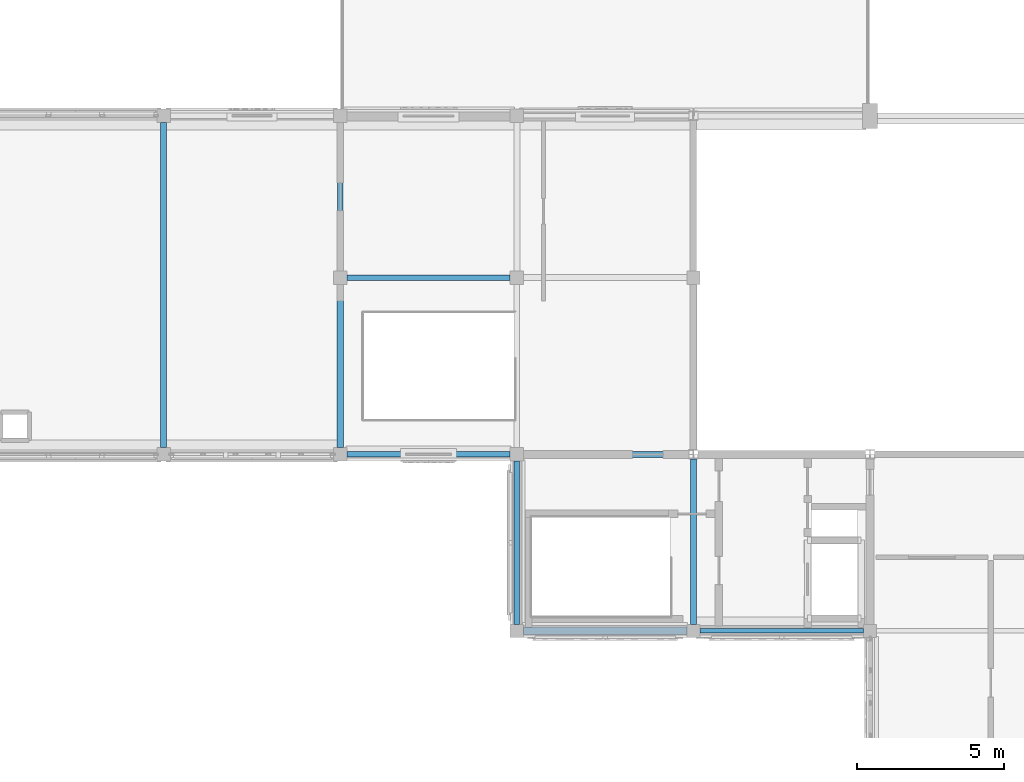
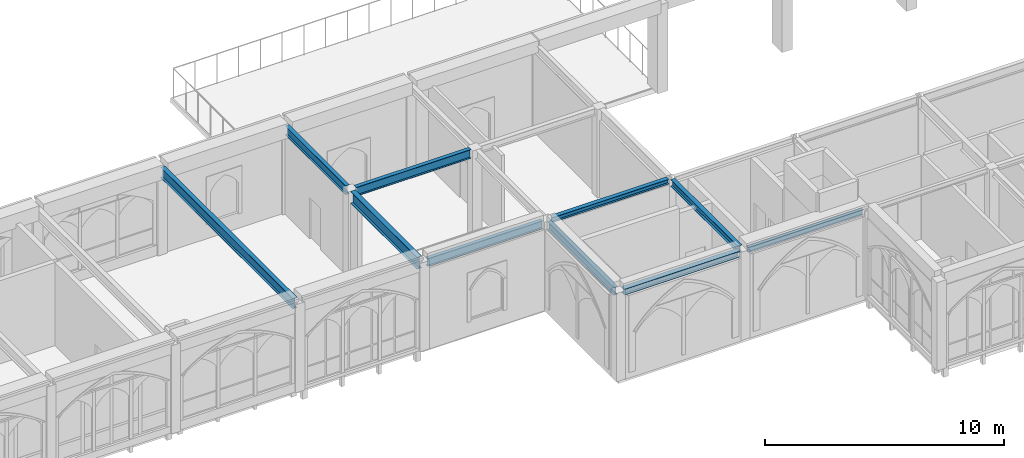
# One storey, part 15 of 59: 10 beams.
"""IFC4 building model written with IfcOpenShell, lengths in metres."""

import ifcopenshell
import ifcopenshell.guid

model = None  # the IFC model being written
_history = None  # IfcOwnerHistory: only IFC2X3 demands one
_inside = {}  # id of a spatial element -> (the spatial element, [elements in it])
_under = {}  # id of a project, library or spatial element -> (it, [spatial elements below it])
_declared = {}  # id of a project -> (the project, [libraries it declares])
_typed = {}  # id of a type object -> (the type object, [elements of that type])
_made_of = {}  # id of a material, layer set ... -> (it, [elements and type objects made of it])


def new_model(schema):
    """Start an empty IFC model of exactly this schema.

    Asked for "IFC4X3", IfcOpenShell would pick the latest addendum, in which some entities
    have other attributes; the version numbers below select the first issue.
    IFC2X3 requires an IfcOwnerHistory on every rooted entity: one is made here for all.
    """
    global model, _history
    if schema == "IFC4X3":
        model = ifcopenshell.file(schema_version=(4, 3, 0, 0))
    else:
        model = ifcopenshell.file(schema=schema)
    _inside.clear()
    _under.clear()
    _declared.clear()
    _typed.clear()
    _made_of.clear()
    _history = None
    if model.schema == "IFC2X3":
        org = make("IfcOrganization", Name="unknown")
        user = make(
            "IfcPersonAndOrganization",
            ThePerson=make("IfcPerson", FamilyName="unknown"),
            TheOrganization=org,
        )
        app = make(
            "IfcApplication",
            ApplicationDeveloper=org,
            Version="unknown",
            ApplicationFullName="unknown",
            ApplicationIdentifier="unknown",
        )
        _history = make(
            "IfcOwnerHistory",
            OwningUser=user,
            OwningApplication=app,
            ChangeAction="ADDED",
            CreationDate=0,
        )
    return model


def make(cls, **values):
    """One entity of the class cls with the attributes given. An attribute that is None is left unset."""
    return model.create_entity(
        cls, **{name: value for name, value in values.items() if value is not None}
    )


def rooted(cls, **values):
    """An entity with a GlobalId (a new one), such as an element, a storey or a relation."""
    return make(cls, GlobalId=ifcopenshell.guid.new(), OwnerHistory=_history, **values)


def si_unit(unit_type, name, prefix=None):
    """IfcSIUnit, for example si_unit("LENGTHUNIT", "METRE", prefix="MILLI")."""
    return make("IfcSIUnit", UnitType=unit_type, Prefix=prefix, Name=name)


def assignment(units):
    """IfcUnitAssignment: the units of a project."""
    return None if units is None else make("IfcUnitAssignment", Units=units)


def point(xyz):
    """IfcCartesianPoint."""
    return None if xyz is None else make("IfcCartesianPoint", Coordinates=xyz)


def direction(xyz):
    """IfcDirection."""
    return None if xyz is None else make("IfcDirection", DirectionRatios=xyz)


def frame(location, z_axis=None, x_axis=None):
    """IfcAxis2Placement3D, a coordinate frame: its origin and axes. An axis left out is left unset."""
    return make(
        "IfcAxis2Placement3D",
        Location=point(location),
        Axis=direction(z_axis),
        RefDirection=direction(x_axis),
    )


def frame_2d(location, x_axis=None):
    """IfcAxis2Placement2D, a coordinate frame in the plane: its origin and x axis."""
    return make(
        "IfcAxis2Placement2D", Location=point(location), RefDirection=direction(x_axis)
    )


def origin():
    """The frame at (0, 0, 0) with its axes left unset."""
    return frame((0.0, 0.0, 0.0))


def origin_2d():
    """The frame at (0, 0) in the plane with its x axis left unset."""
    return frame_2d((0.0, 0.0))


def place(relative_to, where):
    """IfcLocalPlacement: puts the frame where relative to a parent placement (None: the world)."""
    return make(
        "IfcLocalPlacement", PlacementRelTo=relative_to, RelativePlacement=where
    )


def context(
    kind, dimensions, precision=None, world=None, true_north=None, identifier=None
):
    """IfcGeometricRepresentationContext, for example the 3D "Model" context."""
    return make(
        "IfcGeometricRepresentationContext",
        ContextIdentifier=identifier,
        ContextType=kind,
        CoordinateSpaceDimension=dimensions,
        Precision=precision,
        WorldCoordinateSystem=world,
        TrueNorth=true_north,
    )


def subcontext(parent, identifier, kind, view, scale=None):
    """IfcGeometricRepresentationSubContext, for example "Body" below "Model"."""
    return make(
        "IfcGeometricRepresentationSubContext",
        ContextIdentifier=identifier,
        ContextType=kind,
        ParentContext=parent,
        TargetScale=scale,
        TargetView=view,
    )


def project(units=None, contexts=None):
    """IfcProject with its units and contexts."""
    return rooted(
        "IfcProject",
        Name="project",
        RepresentationContexts=contexts,
        UnitsInContext=assignment(units),
    )


def spatial(cls, under=None, at=None, **own):
    """A site, building, storey or space (cls), placed at a placement, below another one or the project."""
    s = rooted(cls, ObjectPlacement=at, **own)
    if under is not None:
        _under.setdefault(under.id(), (under, []))[1].append(s)
    return s


def profile(cls, at=None, kind="AREA", **sizes):
    """A parametric profile (cls). Its sizes go by their IFC names, for example OverallWidth=200.0."""
    return make(cls, ProfileType=kind, Position=at, **sizes)


def i_section(**sizes):
    """IfcIShapeProfileDef."""
    return profile("IfcIShapeProfileDef", **sizes)


def extrude(swept, where, along, depth):
    """IfcExtrudedAreaSolid: the profile swept, set in the frame where, extruded along a direction by depth."""
    return make(
        "IfcExtrudedAreaSolid",
        SweptArea=swept,
        Position=where,
        ExtrudedDirection=direction(along),
        Depth=depth,
    )


def shape(context_of_items, identifier, shape_type, items):
    """IfcShapeRepresentation: the items that make up one representation, for example the "Body"."""
    return make(
        "IfcShapeRepresentation",
        ContextOfItems=context_of_items,
        RepresentationIdentifier=identifier,
        RepresentationType=shape_type,
        Items=items,
    )


def material(Name=None, Category=None):
    """IfcMaterial."""
    return make("IfcMaterial", Name=Name, Category=Category)


def material_profile(
    of_material, cross_section, Name=None, Category=None, Priority=None
):
    """IfcMaterialProfile: a cross section and its material."""
    return make(
        "IfcMaterialProfile",
        Name=Name,
        Material=of_material,
        Profile=cross_section,
        Priority=Priority,
        Category=Category,
    )


def profile_set(profiles, Name=None, composite=None):
    """IfcMaterialProfileSet."""
    return make(
        "IfcMaterialProfileSet",
        Name=Name,
        MaterialProfiles=profiles,
        CompositeProfile=composite,
    )


def made_of(thing, what):
    """Note that an element or type object is made of a material, layer set ...; save() writes the relation."""
    if what is not None:
        _made_of.setdefault(what.id(), (what, []))[1].append(thing)
    return thing


def type_object(cls, material=None, **own):
    """A type object (cls), such as IfcWallType, which elements share."""
    return made_of(rooted(cls, **own), material)


def element(
    cls,
    number,
    at=None,
    inside=None,
    cuts=None,
    type_object=None,
    material=None,
    context=None,
    identifier="Body",
    shape_type=None,
    held_by="IfcProductDefinitionShape",
    body=None,
    shapes=None,
    **own,
):
    """One element of the class cls, such as IfcWall. Its Tag is "e" and its number.

    at: its placement. inside: the storey or other place that contains it. cuts: it is an
    opening in that element (IfcRelVoidsElement). A single representation is given by context,
    identifier, shape_type and body (its items); several are given by shapes. held_by: the class
    of the entity that holds the representations. save() writes the other relations.
    """
    e = rooted(cls, Tag="e%d" % number, ObjectPlacement=at, **own)
    if body is not None:
        shapes = [shape(context, identifier, shape_type, body)]
    if shapes is not None:
        e.Representation = make(held_by, Representations=shapes)
    if inside is not None:
        _inside.setdefault(inside.id(), (inside, []))[1].append(e)
    if cuts is not None:
        rooted(
            "IfcRelVoidsElement", RelatingBuildingElement=cuts, RelatedOpeningElement=e
        )
    if type_object is not None:
        _typed.setdefault(type_object.id(), (type_object, []))[1].append(e)
    return made_of(e, material)


def aggregate(whole, parts):
    """IfcRelAggregates: a whole, such as a stair, and the parts it consists of."""
    return rooted("IfcRelAggregates", RelatingObject=whole, RelatedObjects=parts)


def save(model, path):
    """Write the relations noted so far, then the file.

    IfcRelAggregates (storeys below a building ...), IfcRelContainedInSpatialStructure (elements
    in a storey), IfcRelDefinesByType, IfcRelAssociatesMaterial and IfcRelDeclares: one each for
    every whole, place, type object, material and project.
    """
    for whole, parts in _under.values():
        aggregate(whole, parts)
    for where, things in _inside.values():
        rooted(
            "IfcRelContainedInSpatialStructure",
            RelatedElements=things,
            RelatingStructure=where,
        )
    for kind, things in _typed.values():
        rooted("IfcRelDefinesByType", RelatedObjects=things, RelatingType=kind)
    for what, things in _made_of.values():
        rooted("IfcRelAssociatesMaterial", RelatedObjects=things, RelatingMaterial=what)
    for by, libraries in _declared.values():
        rooted("IfcRelDeclares", RelatingContext=by, RelatedDefinitions=libraries)
    model.write(path)


model = new_model("IFC4")

# Units and contexts
model_context = context("Model", 3, precision=1e-05, world=origin(), true_north=direction((0.0, 1.0)))
body_context = subcontext(model_context, "Body", "Model", "MODEL_VIEW")
ifc_project = project(units=[si_unit("LENGTHUNIT", "METRE"), si_unit("AREAUNIT", "SQUARE_METRE"), si_unit("VOLUMEUNIT", "CUBIC_METRE"), si_unit("PLANEANGLEUNIT", "RADIAN"), si_unit("MASSUNIT", "GRAM", prefix="KILO")], contexts=[model_context])

# Site, building, storey
site_placement = place(None, origin())
site = spatial("IfcSite", under=ifc_project, at=site_placement, CompositionType="ELEMENT")
building_placement = place(site_placement, origin())
building = spatial("IfcBuilding", under=site, at=building_placement, Name="Cumevento Cable Car Station", CompositionType="ELEMENT")
storey_placement = place(building_placement, frame((0.0, 0.0, 18.0)))
storey = spatial("IfcBuildingStorey", under=building, at=storey_placement, Name="L05", CompositionType="ELEMENT", Elevation=18.0)

# Beams
ifc_material_1 = material(Name="Steel ASTM A572 Grade 50", Category="steel")
ifc_material_profile_1 = material_profile(ifc_material_1, i_section(OverallWidth=0.22802734375, OverallDepth=0.60791015625, WebThickness=0.01123046875, FlangeThickness=0.017333984375, at=origin_2d()), Name="W610x113.0")
ifc_profile_set_1 = profile_set([ifc_material_profile_1], Name="Steel ASTM A572 Grade 50")
beam_type_1 = type_object("IfcBeamType", Name="Structural Beam BM-02 W610x113.0", PredefinedType="BEAM", material=ifc_profile_set_1)
beam_1_placement = place(storey_placement, frame((52.0, 45.22509765625, 4.196044921875), z_axis=(0.0, 1.0, 0.0), x_axis=(-1.0, 0.0, 0.0)))
element("IfcBeam", 1, at=beam_1_placement, inside=storey, type_object=beam_type_1, Name="Beam BM-02 L05 #1606", PredefinedType="BEAM", context=body_context, shape_type="SweptSolid", body=[
    extrude(i_section(OverallWidth=0.22802734375, OverallDepth=0.60791015625, WebThickness=0.01123046875, FlangeThickness=0.017333984375, at=origin_2d()), origin(), (0.0, 0.0, 1.0), 5.5498046875),
])
ifc_material_2 = material(Name="Steel ASTM A572 Grade 50", Category="steel")
ifc_material_profile_2 = material_profile(ifc_material_2, i_section(OverallWidth=0.208984375, OverallDepth=0.532958984375, WebThickness=0.01025390625, FlangeThickness=0.015625, at=origin_2d()), Name="W530x92.0")
ifc_profile_set_2 = profile_set([ifc_material_profile_2], Name="Steel ASTM A572 Grade 50")
beam_type_2 = type_object("IfcBeamType", Name="Structural Beam BM-03 W530x92.0", PredefinedType="BEAM", material=ifc_profile_set_2)
beam_2_placement = place(storey_placement, frame((46.0, 45.22509765625, 4.2333984375), z_axis=(0.0, 1.0, 0.0), x_axis=(-1.0, 0.0, 0.0)))
element("IfcBeam", 2, at=beam_2_placement, inside=storey, type_object=beam_type_2, Name="Beam BM-03 L05 #1605", PredefinedType="BEAM", context=body_context, shape_type="SweptSolid", body=[
    extrude(i_section(OverallWidth=0.208984375, OverallDepth=0.532958984375, WebThickness=0.01025390625, FlangeThickness=0.015625, at=origin_2d()), origin(), (0.0, 0.0, 1.0), 11.0498046875),
])
ifc_material_3 = material(Name="Steel ASTM A572 Grade 50", Category="steel")
ifc_material_profile_3 = material_profile(ifc_material_3, i_section(OverallWidth=0.18994140625, OverallDepth=0.45703125, WebThickness=0.009033203125, FlangeThickness=0.014404296875, at=origin_2d()), Name="W460x74.0")
ifc_profile_set_3 = profile_set([ifc_material_profile_3], Name="Steel ASTM A572 Grade 50")
beam_type_3 = type_object("IfcBeamType", Name="Structural Beam BM-04 W460x74.0", PredefinedType="BEAM", material=ifc_profile_set_3)
beam_3_placement = place(storey_placement, frame((52.0, 51.22509765625, 4.271484375), z_axis=(0.0, 1.0, 0.0), x_axis=(-1.0, 0.0, 0.0)))
element("IfcBeam", 3, at=beam_3_placement, inside=storey, type_object=beam_type_3, Name="Beam BM-04 L05 #1607", PredefinedType="BEAM", context=body_context, shape_type="SweptSolid", body=[
    extrude(i_section(OverallWidth=0.18994140625, OverallDepth=0.45703125, WebThickness=0.009033203125, FlangeThickness=0.014404296875, at=origin_2d()), origin(), (0.0, 0.0, 1.0), 5.0498046875),
])
beam_4_placement = place(storey_placement, frame((52.22509765625, 51.0, 4.271484375), z_axis=(1.0, 0.0, 0.0), x_axis=(0.0, 1.0, 0.0)))
element("IfcBeam", 4, at=beam_4_placement, inside=storey, type_object=beam_type_3, Name="Beam BM-04 L05 #1609", PredefinedType="BEAM", context=body_context, shape_type="SweptSolid", body=[
    extrude(i_section(OverallWidth=0.18994140625, OverallDepth=0.45703125, WebThickness=0.009033203125, FlangeThickness=0.014404296875, at=origin_2d()), origin(), (0.0, 0.0, 1.0), 5.5498046875),
])
ifc_material_4 = material(Name="Steel ASTM A572 Grade 50", Category="steel")
ifc_material_profile_4 = material_profile(ifc_material_4, i_section(OverallWidth=0.205078125, OverallDepth=0.35400390625, WebThickness=0.009521484375, FlangeThickness=0.016845703125, at=origin_2d()), Name="W360x79.0")
ifc_profile_set_4 = profile_set([ifc_material_profile_4], Name="Steel ASTM A572 Grade 50")
beam_type_4 = type_object("IfcBeamType", Name="Structural Beam BM-05 W360x79.0", PredefinedType="BEAM", material=ifc_profile_set_4)
beam_5_placement = place(storey_placement, frame((64.0, 39.22509765625, 4.322998046875), z_axis=(0.0, 1.0, 0.0), x_axis=(-1.0, 0.0, 0.0)))
element("IfcBeam", 5, at=beam_5_placement, inside=storey, type_object=beam_type_4, Name="Beam BM-05 L05 #1560", PredefinedType="BEAM", context=body_context, shape_type="SweptSolid", body=[
    extrude(i_section(OverallWidth=0.205078125, OverallDepth=0.35400390625, WebThickness=0.009521484375, FlangeThickness=0.016845703125, at=origin_2d()), origin(), (0.0, 0.0, 1.0), 5.620849609375),
])
ifc_material_5 = material(Name="Steel ASTM A572 Grade 50", Category="steel")
ifc_material_profile_5 = material_profile(ifc_material_5, i_section(OverallWidth=0.25390625, OverallDepth=0.305908203125, WebThickness=0.0087890625, FlangeThickness=0.0146484375, at=origin_2d()), Name="W310x79.0")
ifc_profile_set_5 = profile_set([ifc_material_profile_5], Name="Steel ASTM A572 Grade 50")
beam_type_5 = type_object("IfcBeamType", Name="Structural Beam BM-06 W310x79.0", PredefinedType="BEAM", material=ifc_profile_set_5)
beam_6_placement = place(storey_placement, frame((58.22509765625, 39.0, 4.346923828125), z_axis=(1.0, 0.0, 0.0), x_axis=(0.0, 1.0, 0.0)))
element("IfcBeam", 6, at=beam_6_placement, inside=storey, type_object=beam_type_5, Name="Beam BM-06 L05 #1555", PredefinedType="BEAM", context=body_context, shape_type="SweptSolid", body=[
    extrude(i_section(OverallWidth=0.25390625, OverallDepth=0.305908203125, WebThickness=0.0087890625, FlangeThickness=0.0146484375, at=origin_2d()), origin(), (0.0, 0.0, 1.0), 5.5498046875),
])
ifc_material_6 = material(Name="Steel ASTM A572 Grade 50", Category="steel")
ifc_material_profile_6 = material_profile(ifc_material_6, i_section(OverallWidth=0.14794921875, OverallDepth=0.26611328125, WebThickness=0.007568359375, FlangeThickness=0.012939453125, at=origin_2d()), Name="W250x44.8")
ifc_profile_set_6 = profile_set([ifc_material_profile_6], Name="Steel ASTM A572 Grade 50")
beam_type_6 = type_object("IfcBeamType", Name="Structural Beam BM-07 W250x44.8", PredefinedType="BEAM", material=ifc_profile_set_6)
beam_7_placement = place(storey_placement, frame((64.22509765625, 39.0, 4.366943359375), z_axis=(1.0, 0.0, 0.0), x_axis=(0.0, 1.0, 0.0)))
element("IfcBeam", 7, at=beam_7_placement, inside=storey, type_object=beam_type_6, Name="Beam BM-07 L05 #1556", PredefinedType="BEAM", context=body_context, shape_type="SweptSolid", body=[
    extrude(i_section(OverallWidth=0.14794921875, OverallDepth=0.26611328125, WebThickness=0.007568359375, FlangeThickness=0.012939453125, at=origin_2d()), origin(), (0.0, 0.0, 1.0), 5.5498046875),
])
ifc_material_7 = material(Name="Steel ASTM A572 Grade 50", Category="steel")
ifc_material_profile_7 = material_profile(ifc_material_7, i_section(OverallWidth=0.202880859375, OverallDepth=0.251953125, WebThickness=0.008056640625, FlangeThickness=0.013427734375, at=origin_2d()), Name="W250x58.0")
ifc_profile_set_7 = profile_set([ifc_material_profile_7], Name="Steel ASTM A572 Grade 50")
beam_type_7 = type_object("IfcBeamType", Name="Structural Beam BM-08 W250x58.0", PredefinedType="BEAM", material=ifc_profile_set_7)
beam_8_placement = place(storey_placement, frame((58.22509765625, 45.0, 4.3740234375), z_axis=(1.0, 0.0, 0.0), x_axis=(0.0, 1.0, 0.0)))
element("IfcBeam", 8, at=beam_8_placement, inside=storey, type_object=beam_type_7, Name="Beam BM-08 L05 #1557", PredefinedType="BEAM", context=body_context, shape_type="SweptSolid", body=[
    extrude(i_section(OverallWidth=0.202880859375, OverallDepth=0.251953125, WebThickness=0.008056640625, FlangeThickness=0.013427734375, at=origin_2d()), origin(), (0.0, 0.0, 1.0), 5.622314453125),
])
ifc_material_8 = material(Name="Steel ASTM A572 Grade 50", Category="steel")
ifc_material_profile_8 = material_profile(ifc_material_8, i_section(OverallWidth=0.177978515625, OverallDepth=0.406982421875, WebThickness=0.0078125, FlangeThickness=0.0126953125, at=origin_2d()), Name="W410x60.0")
ifc_profile_set_8 = profile_set([ifc_material_profile_8], Name="Steel ASTM A572 Grade 50")
beam_type_8 = type_object("IfcBeamType", Name="Structural Spandrel SP-01 W410x60.0", PredefinedType="SPANDREL", material=ifc_profile_set_8)
for number, where, z_axis, x_axis, name in (
    (9, (58.0, 39.22509765625, 4.29638671875), (0.0, 1.0, 0.0), (-1.0, 0.0, 0.0), "Beam SP-01 L05 #1559"),
    (10, (52.22509765625, 45.0, 4.29638671875), (1.0, 0.0, 0.0), (0.0, 1.0, 0.0), "Beam SP-01 L05 #1608"),
):
    element("IfcBeam", number, at=place(storey_placement, frame(where, z_axis=z_axis, x_axis=x_axis)), inside=storey, type_object=beam_type_8, Name=name, PredefinedType="SPANDREL", context=body_context, shape_type="SweptSolid", body=[
        extrude(i_section(OverallWidth=0.177978515625, OverallDepth=0.406982421875, WebThickness=0.0078125, FlangeThickness=0.0126953125, at=origin_2d()), origin(), (0.0, 0.0, 1.0), 5.5498046875),
    ])

save(model, "model.ifc")
